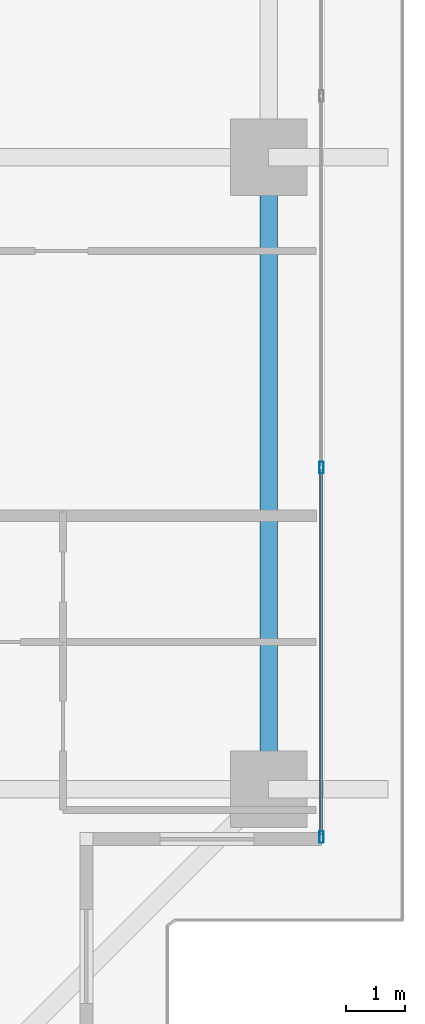
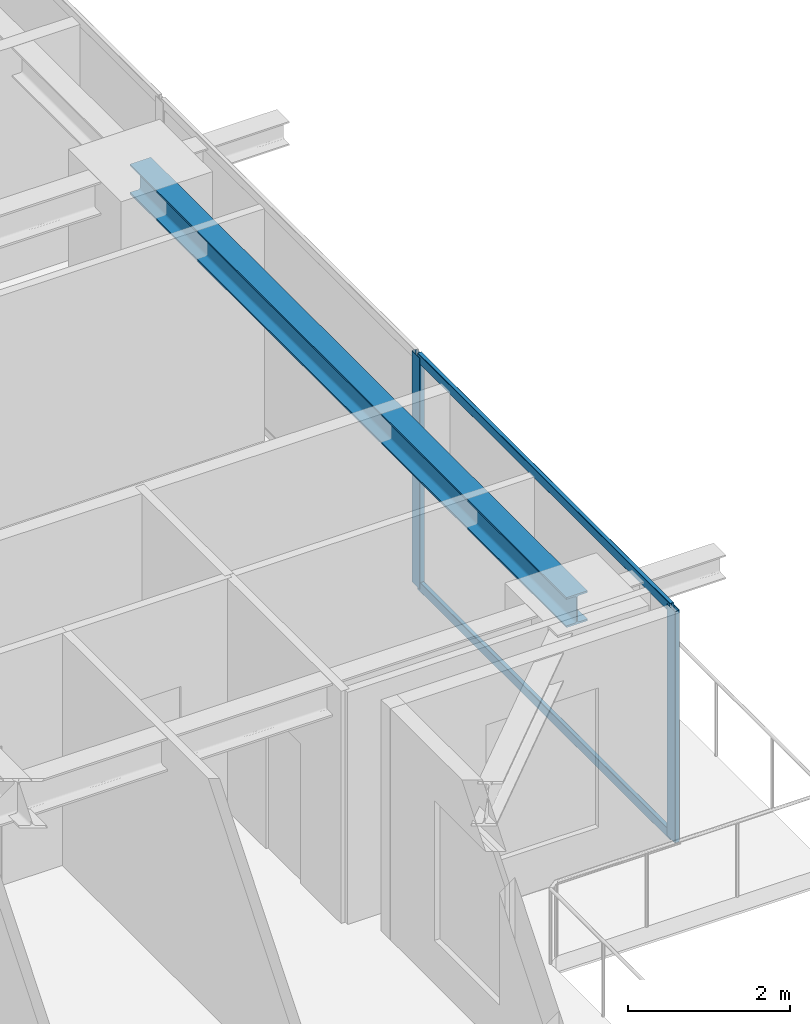
# One storey, part 14 of 38: 4 members, 1 beam, 1 element without a shape of its own.
"""IFC4 building model written with IfcOpenShell, lengths in metres."""

from ifc_helpers import new_model, si_unit, direction, frame, origin, origin_2d, place, context, subcontext, project, spatial, hollow_rectangle, i_section, extrude, source, transform, mapped, material, layer, layer_set, material_profile, profile_set, type_object, element, aggregate, save


model = new_model("IFC4")

# Units and contexts
model_context = context("Model", 3, precision=1e-05, world=origin(), true_north=direction((0.0, 1.0)))
body_context = subcontext(model_context, "Body", "Model", "MODEL_VIEW")
ifc_project = project(units=[si_unit("LENGTHUNIT", "METRE"), si_unit("AREAUNIT", "SQUARE_METRE"), si_unit("VOLUMEUNIT", "CUBIC_METRE"), si_unit("PLANEANGLEUNIT", "RADIAN"), si_unit("MASSUNIT", "GRAM", prefix="KILO")], contexts=[model_context])

# Site, building, storey
site_placement = place(None, origin())
site = spatial("IfcSite", under=ifc_project, at=site_placement, CompositionType="ELEMENT")
building_placement = place(site_placement, origin())
building = spatial("IfcBuilding", under=site, at=building_placement, Name="Serunith Strait Residences", CompositionType="ELEMENT")
storey_placement = place(building_placement, frame((0.0, 0.0, 183.89990234375)))
storey = spatial("IfcBuildingStorey", under=building, at=storey_placement, Name="L46", CompositionType="ELEMENT", Elevation=183.89990234375)

# Beam
ifc_material_1 = material(Name="Steel S355J2", Category="steel")
ifc_material_profile_1 = material_profile(ifc_material_1, i_section(OverallWidth=0.300048828125, OverallDepth=0.449951171875, WebThickness=0.013916015625, FlangeThickness=0.02587890625, FilletRadius=0.027099609375, at=origin_2d()), Name="HEB 450")
ifc_profile_set_1 = profile_set([ifc_material_profile_1], Name="Steel S355J2")
beam_type = type_object("IfcBeamType", Name="BM-HEB450", PredefinedType="BEAM", material=ifc_profile_set_1)
shared_shape_1 = source(origin(), body_context, "Body", "SweptSolid", [
    extrude(i_section(OverallWidth=0.300048828125, OverallDepth=0.449951171875, WebThickness=0.013916015625, FlangeThickness=0.02587890625, FilletRadius=0.027099609375, at=origin_2d()), origin(), (0.0, 0.0, 1.0), 10.75),
])
beam_placement = place(storey_placement, frame((56.10009765625, 10.25, 3.26220703125), z_axis=(0.0, 1.0, 0.0), x_axis=(-1.0, 0.0, 0.0)))
element("IfcBeam", 1, at=beam_placement, inside=storey, type_object=beam_type, Name="L46 Perimeter Ring Beam 05", PredefinedType="BEAM", context=body_context, shape_type="MappedRepresentation", body=[
    mapped(shared_shape_1, transform((0.0, 0.0, 0.0), scale=1.0)),
])

# Curtain wall, members
ifc_material_2 = material(Name="Pale-Champagne Anodised Aluminium", Category="aluminium")
ifc_layer = layer(ifc_material_2, 0.199951171875, Name="Pale-Champagne Anodised Aluminium")
ifc_layer_set = layer_set([ifc_layer], Name="Pale-Champagne Anodised Aluminium")
curtain_wall_type = type_object("IfcCurtainWallType", Name="CW-SYS2", PredefinedType="NOTDEFINED", material=ifc_layer_set)
curtain_wall_placement = place(storey_placement, origin())
curtain_wall = element("IfcCurtainWall", 2, at=curtain_wall_placement, inside=storey, type_object=curtain_wall_type, Name="L46 E Unitised Fritted Curtain Wall", PredefinedType="NOTDEFINED")
ifc_material_profile_2 = material_profile(ifc_material_2, hollow_rectangle(XDim=0.070068359375, YDim=0.199951171875, WallThickness=0.00390625, InnerFilletRadius=0.006103515625, OuterFilletRadius=0.010009765625, at=origin_2d()), Name="ALU 200x70x4")
ifc_profile_set_2 = profile_set([ifc_material_profile_2], Name="Pale-Champagne Anodised Aluminium")
member_type_1 = type_object("IfcMemberType", Name="CW-SYS2-MULL", PredefinedType="MULLION", material=ifc_profile_set_2)
shared_shape_2 = source(origin(), body_context, "Body", "SweptSolid", [
    extrude(hollow_rectangle(XDim=0.070068359375, YDim=0.199951171875, WallThickness=0.00390625, InnerFilletRadius=0.006103515625, OuterFilletRadius=0.010009765625, at=origin_2d()), origin(), (0.0, 0.0, 1.0), 3.47509765625),
])
member_1_placement = place(storey_placement, frame((57.0, 9.43505859375, 0.0), z_axis=(0.0, 0.0, 1.0), x_axis=(-1.0, 0.0, 0.0)))
member_1 = element("IfcMember", 3, at=member_1_placement, type_object=member_type_1, Name="CW-2 mullion 1", PredefinedType="MULLION", context=body_context, shape_type="MappedRepresentation", body=[
    mapped(shared_shape_2, transform((0.0, 0.0, 0.0), scale=1.0)),
])
member_2_placement = place(storey_placement, frame((57.0, 15.719970703125, 0.0), z_axis=(0.0, 0.0, 1.0), x_axis=(-1.0, 0.0, 0.0)))
member_2 = element("IfcMember", 4, at=member_2_placement, type_object=member_type_1, Name="CW-2 mullion 2", PredefinedType="MULLION", context=body_context, shape_type="MappedRepresentation", body=[
    mapped(shared_shape_2, transform((0.0, 0.0, 0.0), scale=1.0)),
])
ifc_material_profile_3 = material_profile(ifc_material_2, hollow_rectangle(XDim=0.06005859375, YDim=0.139892578125, WallThickness=0.00341796875, InnerFilletRadius=0.00537109375, OuterFilletRadius=0.0087890625, at=origin_2d()), Name="ALU 140x60x3.5")
ifc_profile_set_3 = profile_set([ifc_material_profile_3], Name="Pale-Champagne Anodised Aluminium")
member_type_2 = type_object("IfcMemberType", Name="CW-SYS2-TRAN", PredefinedType="USERDEFINED", material=ifc_profile_set_3)
shared_shape_3 = source(origin(), body_context, "Body", "SweptSolid", [
    extrude(hollow_rectangle(XDim=0.06005859375, YDim=0.139892578125, WallThickness=0.00341796875, InnerFilletRadius=0.00537109375, OuterFilletRadius=0.0087890625, at=origin_2d()), origin(), (0.0, 0.0, 1.0), 6.215087890625),
])
member_3_placement = place(storey_placement, frame((57.0, 9.469970703125, 0.030029296875), z_axis=(0.0, 1.0, 0.0), x_axis=(-1.0, 0.0, 0.0)))
member_3 = element("IfcMember", 5, at=member_3_placement, type_object=member_type_2, Name="CW-2 transom 1.1", ObjectType="TRANSOM", PredefinedType="USERDEFINED", context=body_context, shape_type="MappedRepresentation", body=[
    mapped(shared_shape_3, transform((0.0, 0.0, 0.0), scale=1.0)),
])
member_4_placement = place(storey_placement, frame((57.0, 9.469970703125, 3.445068359375), z_axis=(0.0, 1.0, 0.0), x_axis=(-1.0, 0.0, 0.0)))
member_4 = element("IfcMember", 6, at=member_4_placement, type_object=member_type_2, Name="CW-2 transom 1.2", ObjectType="TRANSOM", PredefinedType="USERDEFINED", context=body_context, shape_type="MappedRepresentation", body=[
    mapped(shared_shape_3, transform((0.0, 0.0, 0.0), scale=1.0)),
])
aggregate(curtain_wall, [member_1, member_2, member_3, member_4])

save(model, "model.ifc")
